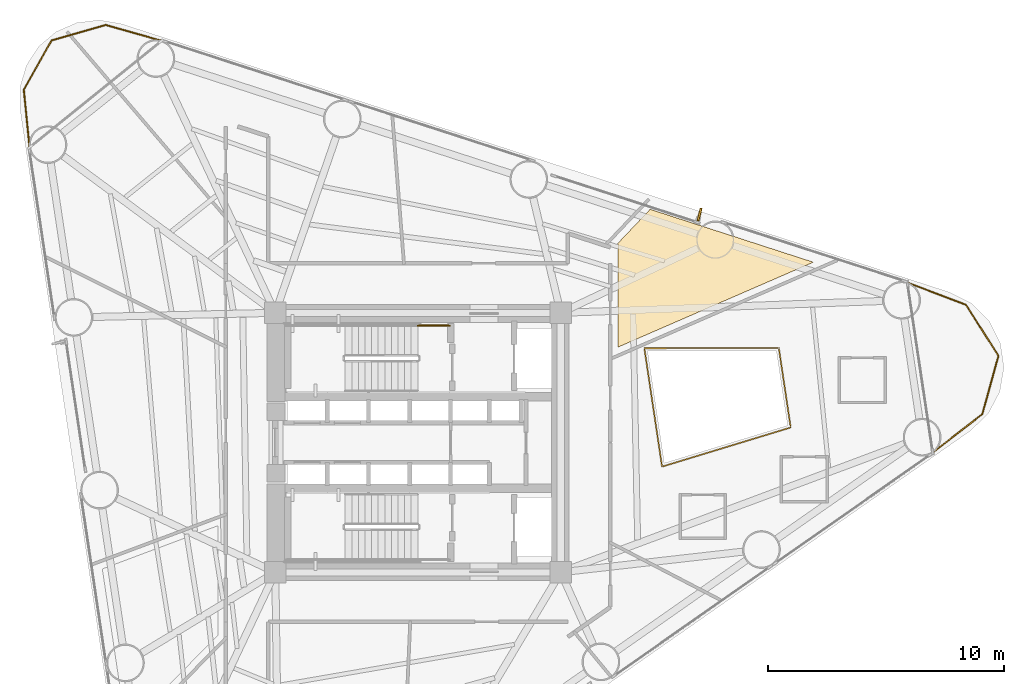
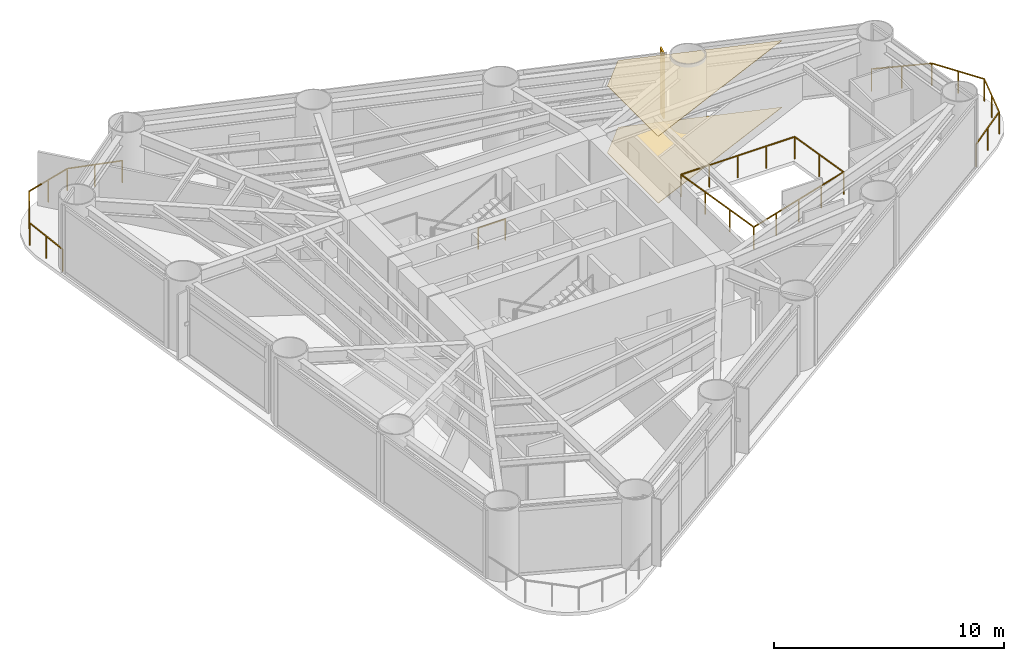
# One storey, part 9 of 9: 4 railings, 2 coverings, 1 shading device.
"""IFC4 building model written with IfcOpenShell, lengths in metres."""

import ifcopenshell
import ifcopenshell.guid

model = None  # the IFC model being written
_history = None  # IfcOwnerHistory: only IFC2X3 demands one
_inside = {}  # id of a spatial element -> (the spatial element, [elements in it])
_under = {}  # id of a project, library or spatial element -> (it, [spatial elements below it])
_declared = {}  # id of a project -> (the project, [libraries it declares])
_typed = {}  # id of a type object -> (the type object, [elements of that type])
_made_of = {}  # id of a material, layer set ... -> (it, [elements and type objects made of it])


def new_model(schema):
    """Start an empty IFC model of exactly this schema.

    Asked for "IFC4X3", IfcOpenShell would pick the latest addendum, in which some entities
    have other attributes; the version numbers below select the first issue.
    IFC2X3 requires an IfcOwnerHistory on every rooted entity: one is made here for all.
    """
    global model, _history
    if schema == "IFC4X3":
        model = ifcopenshell.file(schema_version=(4, 3, 0, 0))
    else:
        model = ifcopenshell.file(schema=schema)
    _inside.clear()
    _under.clear()
    _declared.clear()
    _typed.clear()
    _made_of.clear()
    _history = None
    if model.schema == "IFC2X3":
        org = make("IfcOrganization", Name="unknown")
        user = make(
            "IfcPersonAndOrganization",
            ThePerson=make("IfcPerson", FamilyName="unknown"),
            TheOrganization=org,
        )
        app = make(
            "IfcApplication",
            ApplicationDeveloper=org,
            Version="unknown",
            ApplicationFullName="unknown",
            ApplicationIdentifier="unknown",
        )
        _history = make(
            "IfcOwnerHistory",
            OwningUser=user,
            OwningApplication=app,
            ChangeAction="ADDED",
            CreationDate=0,
        )
    return model


def make(cls, **values):
    """One entity of the class cls with the attributes given. An attribute that is None is left unset."""
    return model.create_entity(
        cls, **{name: value for name, value in values.items() if value is not None}
    )


def rooted(cls, **values):
    """An entity with a GlobalId (a new one), such as an element, a storey or a relation."""
    return make(cls, GlobalId=ifcopenshell.guid.new(), OwnerHistory=_history, **values)


def si_unit(unit_type, name, prefix=None):
    """IfcSIUnit, for example si_unit("LENGTHUNIT", "METRE", prefix="MILLI")."""
    return make("IfcSIUnit", UnitType=unit_type, Prefix=prefix, Name=name)


def assignment(units):
    """IfcUnitAssignment: the units of a project."""
    return None if units is None else make("IfcUnitAssignment", Units=units)


def point(xyz):
    """IfcCartesianPoint."""
    return None if xyz is None else make("IfcCartesianPoint", Coordinates=xyz)


def direction(xyz):
    """IfcDirection."""
    return None if xyz is None else make("IfcDirection", DirectionRatios=xyz)


def frame(location, z_axis=None, x_axis=None):
    """IfcAxis2Placement3D, a coordinate frame: its origin and axes. An axis left out is left unset."""
    return make(
        "IfcAxis2Placement3D",
        Location=point(location),
        Axis=direction(z_axis),
        RefDirection=direction(x_axis),
    )


def frame_2d(location, x_axis=None):
    """IfcAxis2Placement2D, a coordinate frame in the plane: its origin and x axis."""
    return make(
        "IfcAxis2Placement2D", Location=point(location), RefDirection=direction(x_axis)
    )


def origin():
    """The frame at (0, 0, 0) with its axes left unset."""
    return frame((0.0, 0.0, 0.0))


def origin_2d():
    """The frame at (0, 0) in the plane with its x axis left unset."""
    return frame_2d((0.0, 0.0))


def place(relative_to, where):
    """IfcLocalPlacement: puts the frame where relative to a parent placement (None: the world)."""
    return make(
        "IfcLocalPlacement", PlacementRelTo=relative_to, RelativePlacement=where
    )


def context(
    kind, dimensions, precision=None, world=None, true_north=None, identifier=None
):
    """IfcGeometricRepresentationContext, for example the 3D "Model" context."""
    return make(
        "IfcGeometricRepresentationContext",
        ContextIdentifier=identifier,
        ContextType=kind,
        CoordinateSpaceDimension=dimensions,
        Precision=precision,
        WorldCoordinateSystem=world,
        TrueNorth=true_north,
    )


def subcontext(parent, identifier, kind, view, scale=None):
    """IfcGeometricRepresentationSubContext, for example "Body" below "Model"."""
    return make(
        "IfcGeometricRepresentationSubContext",
        ContextIdentifier=identifier,
        ContextType=kind,
        ParentContext=parent,
        TargetScale=scale,
        TargetView=view,
    )


def project(units=None, contexts=None):
    """IfcProject with its units and contexts."""
    return rooted(
        "IfcProject",
        Name="project",
        RepresentationContexts=contexts,
        UnitsInContext=assignment(units),
    )


def spatial(cls, under=None, at=None, **own):
    """A site, building, storey or space (cls), placed at a placement, below another one or the project."""
    s = rooted(cls, ObjectPlacement=at, **own)
    if under is not None:
        _under.setdefault(under.id(), (under, []))[1].append(s)
    return s


def polyline(points):
    """IfcPolyline through the points."""
    return make("IfcPolyline", Points=[point(p) for p in points])


def profile(cls, at=None, kind="AREA", **sizes):
    """A parametric profile (cls). Its sizes go by their IFC names, for example OverallWidth=200.0."""
    return make(cls, ProfileType=kind, Position=at, **sizes)


def rectangle(**sizes):
    """IfcRectangleProfileDef."""
    return profile("IfcRectangleProfileDef", **sizes)


def outline(outer, holes=None, kind="AREA"):
    """IfcArbitraryClosedProfileDef: a profile drawn as a closed curve; with holes, ...WithVoids."""
    if holes is None:
        return make("IfcArbitraryClosedProfileDef", ProfileType=kind, OuterCurve=outer)
    return make(
        "IfcArbitraryProfileDefWithVoids",
        ProfileType=kind,
        OuterCurve=outer,
        InnerCurves=holes,
    )


def extrude(swept, where, along, depth):
    """IfcExtrudedAreaSolid: the profile swept, set in the frame where, extruded along a direction by depth."""
    return make(
        "IfcExtrudedAreaSolid",
        SweptArea=swept,
        Position=where,
        ExtrudedDirection=direction(along),
        Depth=depth,
    )


def shape(context_of_items, identifier, shape_type, items):
    """IfcShapeRepresentation: the items that make up one representation, for example the "Body"."""
    return make(
        "IfcShapeRepresentation",
        ContextOfItems=context_of_items,
        RepresentationIdentifier=identifier,
        RepresentationType=shape_type,
        Items=items,
    )


def source(mapping_origin, context_of_items, identifier, shape_type, items):
    """IfcRepresentationMap: a shape defined once, which mapped items show again and again."""
    return make(
        "IfcRepresentationMap",
        MappingOrigin=mapping_origin,
        MappedRepresentation=shape(context_of_items, identifier, shape_type, items),
    )


def transform(
    local_origin,
    x_axis=None,
    y_axis=None,
    z_axis=None,
    scale=None,
    scale2=None,
    scale3=None,
    uniform=True,
):
    """IfcCartesianTransformationOperator3D, or its non-uniform kind. x_axis, y_axis, z_axis: its Axis1, 2, 3."""
    if uniform:
        return make(
            "IfcCartesianTransformationOperator3D",
            Axis1=direction(x_axis),
            Axis2=direction(y_axis),
            LocalOrigin=point(local_origin),
            Scale=scale,
            Axis3=direction(z_axis),
        )
    return make(
        "IfcCartesianTransformationOperator3DnonUniform",
        Axis1=direction(x_axis),
        Axis2=direction(y_axis),
        LocalOrigin=point(local_origin),
        Scale=scale,
        Axis3=direction(z_axis),
        Scale2=scale2,
        Scale3=scale3,
    )


def mapped(mapping_source, mapping_target):
    """IfcMappedItem: shows the shape of a source again, moved by a transform."""
    return make(
        "IfcMappedItem", MappingSource=mapping_source, MappingTarget=mapping_target
    )


def material(Name=None, Category=None):
    """IfcMaterial."""
    return make("IfcMaterial", Name=Name, Category=Category)


def layer(
    of_material, thickness, ventilated=None, Name=None, Category=None, Priority=None
):
    """IfcMaterialLayer: one layer of a wall or slab, of a material (None: an air gap)."""
    return make(
        "IfcMaterialLayer",
        Material=of_material,
        LayerThickness=thickness,
        IsVentilated=ventilated,
        Name=Name,
        Category=Category,
        Priority=Priority,
    )


def layer_set(layers, Name=None):
    """IfcMaterialLayerSet."""
    return make("IfcMaterialLayerSet", MaterialLayers=layers, LayerSetName=Name)


def material_profile(
    of_material, cross_section, Name=None, Category=None, Priority=None
):
    """IfcMaterialProfile: a cross section and its material."""
    return make(
        "IfcMaterialProfile",
        Name=Name,
        Material=of_material,
        Profile=cross_section,
        Priority=Priority,
        Category=Category,
    )


def profile_set(profiles, Name=None, composite=None):
    """IfcMaterialProfileSet."""
    return make(
        "IfcMaterialProfileSet",
        Name=Name,
        MaterialProfiles=profiles,
        CompositeProfile=composite,
    )


def made_of(thing, what):
    """Note that an element or type object is made of a material, layer set ...; save() writes the relation."""
    if what is not None:
        _made_of.setdefault(what.id(), (what, []))[1].append(thing)
    return thing


def type_object(cls, material=None, **own):
    """A type object (cls), such as IfcWallType, which elements share."""
    return made_of(rooted(cls, **own), material)


def element(
    cls,
    number,
    at=None,
    inside=None,
    cuts=None,
    type_object=None,
    material=None,
    context=None,
    identifier="Body",
    shape_type=None,
    held_by="IfcProductDefinitionShape",
    body=None,
    shapes=None,
    **own,
):
    """One element of the class cls, such as IfcWall. Its Tag is "e" and its number.

    at: its placement. inside: the storey or other place that contains it. cuts: it is an
    opening in that element (IfcRelVoidsElement). A single representation is given by context,
    identifier, shape_type and body (its items); several are given by shapes. held_by: the class
    of the entity that holds the representations. save() writes the other relations.
    """
    e = rooted(cls, Tag="e%d" % number, ObjectPlacement=at, **own)
    if body is not None:
        shapes = [shape(context, identifier, shape_type, body)]
    if shapes is not None:
        e.Representation = make(held_by, Representations=shapes)
    if inside is not None:
        _inside.setdefault(inside.id(), (inside, []))[1].append(e)
    if cuts is not None:
        rooted(
            "IfcRelVoidsElement", RelatingBuildingElement=cuts, RelatedOpeningElement=e
        )
    if type_object is not None:
        _typed.setdefault(type_object.id(), (type_object, []))[1].append(e)
    return made_of(e, material)


def aggregate(whole, parts):
    """IfcRelAggregates: a whole, such as a stair, and the parts it consists of."""
    return rooted("IfcRelAggregates", RelatingObject=whole, RelatedObjects=parts)


def save(model, path):
    """Write the relations noted so far, then the file.

    IfcRelAggregates (storeys below a building ...), IfcRelContainedInSpatialStructure (elements
    in a storey), IfcRelDefinesByType, IfcRelAssociatesMaterial and IfcRelDeclares: one each for
    every whole, place, type object, material and project.
    """
    for whole, parts in _under.values():
        aggregate(whole, parts)
    for where, things in _inside.values():
        rooted(
            "IfcRelContainedInSpatialStructure",
            RelatedElements=things,
            RelatingStructure=where,
        )
    for kind, things in _typed.values():
        rooted("IfcRelDefinesByType", RelatedObjects=things, RelatingType=kind)
    for what, things in _made_of.values():
        rooted("IfcRelAssociatesMaterial", RelatedObjects=things, RelatingMaterial=what)
    for by, libraries in _declared.values():
        rooted("IfcRelDeclares", RelatingContext=by, RelatedDefinitions=libraries)
    model.write(path)


model = new_model("IFC4")

# Units and contexts
model_context = context("Model", 3, precision=1e-05, world=origin(), true_north=direction((0.0, 1.0)))
body_context = subcontext(model_context, "Body", "Model", "MODEL_VIEW")
ifc_project = project(units=[si_unit("LENGTHUNIT", "METRE"), si_unit("AREAUNIT", "SQUARE_METRE"), si_unit("VOLUMEUNIT", "CUBIC_METRE"), si_unit("PLANEANGLEUNIT", "RADIAN"), si_unit("MASSUNIT", "GRAM", prefix="KILO")], contexts=[model_context])

# Site, building, storey
site_placement = place(None, origin())
site = spatial("IfcSite", under=ifc_project, at=site_placement, CompositionType="ELEMENT")
building_placement = place(site_placement, origin())
building = spatial("IfcBuilding", under=site, at=building_placement, Name="Yunling Apex Tower", CompositionType="ELEMENT")
storey_placement = place(building_placement, frame((0.0, 0.0, 77.300048828125)))
storey = spatial("IfcBuildingStorey", under=building, at=storey_placement, Name="L20", CompositionType="ELEMENT", Elevation=77.300048828125)

# Coverings
ifc_material_1 = material(Name="Acoustic mineral fibre ceiling")
ifc_layer_1 = layer(ifc_material_1, 0.02490234375)
ifc_layer_set_1 = layer_set([ifc_layer_1], Name="Acoustic mineral fibre ceiling")
covering_type_1 = type_object("IfcCoveringType", Name="CV-CLG-1", PredefinedType="CEILING", material=ifc_layer_set_1)
covering_1_placement = place(storey_placement, frame((0.0, 0.0, 3.5400390625)))
element("IfcCovering", 1, at=covering_1_placement, inside=storey, type_object=covering_type_1, Name="CV-CL-SP-L20-R06", PredefinedType="CEILING", context=body_context, shape_type="SweptSolid", body=[
    extrude(outline(polyline([(8.460693359375, 8.436279296875), (9.839111328125, 9.888671875), (16.75732421875, 7.646240234375), (8.47998046875, 4.047119140625), (8.47998046875, 8.34326171875), (8.479248046875, 8.364990234375), (8.474853515625, 8.390625), (8.470458984375, 8.408447265625), (8.463134765625, 8.430908203125), (8.460693359375, 8.436279296875)])), origin(), (0.0, 0.0, 1.0), 0.02490234375),
])
ifc_material_2 = material(Name="Polished granite stone", Category="masonry")
ifc_layer_2 = layer(ifc_material_2, 0.030029296875)
ifc_layer_set_2 = layer_set([ifc_layer_2], Name="Polished granite stone")
covering_type_2 = type_object("IfcCoveringType", Name="CV-FLR-1", PredefinedType="FLOORING", material=ifc_layer_set_2)
covering_2_placement = place(storey_placement, origin())
element("IfcCovering", 2, at=covering_2_placement, inside=storey, type_object=covering_type_2, Name="CV-FL-SP-L20-R06", PredefinedType="FLOORING", context=body_context, shape_type="SweptSolid", body=[
    extrude(outline(polyline([(8.460693359375, 8.436279296875), (9.839111328125, 9.888671875), (16.75732421875, 7.646240234375), (8.47998046875, 4.047119140625), (8.47998046875, 8.34326171875), (8.479248046875, 8.364990234375), (8.474853515625, 8.390625), (8.470458984375, 8.408447265625), (8.463134765625, 8.430908203125), (8.460693359375, 8.436279296875)])), origin(), (0.0, 0.0, 1.0), 0.030029296875),
])

# Railings
ifc_material_3 = material(Name="Bronze anodised aluminium", Category="aluminium")
railing_type_1 = type_object("IfcRailingType", Name="RL-BAL-1200", PredefinedType="BALUSTRADE", material=ifc_material_3)
railing_1_placement = place(storey_placement, frame((20.747314453125, 6.783935546875, 0.0)))
element("IfcRailing", 3, at=railing_1_placement, inside=storey, type_object=railing_type_1, Name="RL-CRNSILL-L20-1", PredefinedType="BALUSTRADE", context=body_context, shape_type="SweptSolid", body=[
    extrude(rectangle(XDim=0.0439453125, YDim=0.0439453125, at=origin_2d()), origin(), (0.0, 0.0, 1.0), 1.199951171875),
    extrude(rectangle(XDim=0.0439453125, YDim=0.0439453125, at=origin_2d()), frame((2.481689453125, -0.941650390625, 0.0)), (0.0, 0.0, 1.0), 1.199951171875),
    extrude(rectangle(XDim=0.050048828125, YDim=0.050048828125, at=origin_2d()), frame((0.035888671875, -0.013671875, 1.1748046875), z_axis=(0.934957554838, -0.354759595574, 0.0), x_axis=(0.354759595574, 0.934957554838, 0.0)), (0.0, 0.0, 1.0), 2.57763671875),
    extrude(rectangle(XDim=0.0439453125, YDim=0.0439453125, at=origin_2d()), frame((1.24072265625, -0.470703125, 0.0)), (0.0, 0.0, 1.0), 1.14599609375),
    extrude(rectangle(XDim=0.0439453125, YDim=0.0439453125, at=origin_2d()), frame((3.859375, -3.1064453125, 0.0)), (0.0, 0.0, 1.0), 1.199951171875),
    extrude(rectangle(XDim=0.050048828125, YDim=0.050048828125, at=origin_2d()), frame((2.502197265625, -0.973876953125, 1.1748046875), z_axis=(0.536900117586, -0.843645816523, 0.0), x_axis=(0.843645816523, 0.536900117586, 0.0)), (0.0, 0.0, 1.0), 2.4892578125),
    extrude(rectangle(XDim=0.0439453125, YDim=0.0439453125, at=origin_2d()), frame((3.17041015625, -2.02392578125, 0.0)), (0.0, 0.0, 1.0), 1.14599609375),
    extrude(rectangle(XDim=0.0439453125, YDim=0.0439453125, at=origin_2d()), frame((3.174560546875, -5.579345703125, 0.0)), (0.0, 0.0, 1.0), 1.199951171875),
    extrude(rectangle(XDim=0.050048828125, YDim=0.050048828125, at=origin_2d()), frame((3.84912109375, -3.143310546875, 1.1748046875), z_axis=(-0.26688316154, -0.963728892421, 0.0), x_axis=(0.963728892421, -0.26688316154, 0.0)), (0.0, 0.0, 1.0), 2.4892578125),
    extrude(rectangle(XDim=0.0439453125, YDim=0.0439453125, at=origin_2d()), frame((3.51708984375, -4.3427734375, 0.0)), (0.0, 0.0, 1.0), 1.14599609375),
    extrude(rectangle(XDim=0.0439453125, YDim=0.0439453125, at=origin_2d()), frame((1.07666015625, -7.20556640625, 0.0)), (0.0, 0.0, 1.0), 1.199951171875),
    extrude(rectangle(XDim=0.050048828125, YDim=0.050048828125, at=origin_2d()), frame((3.144287109375, -5.602783203125, 1.1748046875), z_axis=(-0.79035158758, -0.612653546476, 0.0), x_axis=(0.612653546476, -0.79035158758, 0.0)), (0.0, 0.0, 1.0), 2.57763671875),
    extrude(rectangle(XDim=0.0439453125, YDim=0.0439453125, at=origin_2d()), frame((2.12548828125, -6.392578125, 0.0)), (0.0, 0.0, 1.0), 1.14599609375),
])
railing_2_placement = place(storey_placement, frame((-16.470458984375, 12.5126953125, 0.0)))
element("IfcRailing", 4, at=railing_2_placement, inside=storey, type_object=railing_type_1, Name="RL-CRNSILL-L20-2", PredefinedType="BALUSTRADE", context=body_context, shape_type="SweptSolid", body=[
    extrude(rectangle(XDim=0.0439453125, YDim=0.0439453125, at=origin_2d()), origin(), (0.0, 0.0, 1.0), 1.199951171875),
    extrude(rectangle(XDim=0.0439453125, YDim=0.0439453125, at=origin_2d()), frame((-0.244140625, 2.449462890625, 0.0)), (0.0, 0.0, 1.0), 1.199951171875),
    extrude(rectangle(XDim=0.050048828125, YDim=0.050048828125, at=origin_2d()), frame((-0.00390625, 0.0380859375, 1.1748046875), z_axis=(-0.099179661385, 0.995069542679, 0.0), x_axis=(-0.995069542679, -0.099179661385, 0.0)), (0.0, 0.0, 1.0), 2.385009765625),
    extrude(rectangle(XDim=0.0439453125, YDim=0.0439453125, at=origin_2d()), frame((-0.1220703125, 1.224609375, 0.0)), (0.0, 0.0, 1.0), 1.14599609375),
    extrude(rectangle(XDim=0.0439453125, YDim=0.0439453125, at=origin_2d()), frame((0.935302734375, 4.534912109375, 0.0)), (0.0, 0.0, 1.0), 1.199951171875),
    extrude(rectangle(XDim=0.050048828125, YDim=0.050048828125, at=origin_2d()), frame((-0.225341796875, 2.48291015625, 1.1748046875), z_axis=(0.492282210089, 0.87043565278, 0.0), x_axis=(-0.87043565278, 0.492282210089, 0.0)), (0.0, 0.0, 1.0), 2.319091796875),
    extrude(rectangle(XDim=0.0439453125, YDim=0.0439453125, at=origin_2d()), frame((0.345703125, 3.4921875, 0.0)), (0.0, 0.0, 1.0), 1.14599609375),
    extrude(rectangle(XDim=0.0439453125, YDim=0.0439453125, at=origin_2d()), frame((3.231201171875, 5.19189453125, 0.0)), (0.0, 0.0, 1.0), 1.199951171875),
    extrude(rectangle(XDim=0.050048828125, YDim=0.050048828125, at=origin_2d()), frame((0.97216796875, 4.54541015625, 1.1748046875), z_axis=(0.961411988788, 0.275112682032, 0.0), x_axis=(-0.275112682032, 0.961411988788, 0.0)), (0.0, 0.0, 1.0), 2.311279296875),
    extrude(rectangle(XDim=0.0439453125, YDim=0.0439453125, at=origin_2d()), frame((2.083251953125, 4.86328125, 0.0)), (0.0, 0.0, 1.0), 1.14599609375),
    extrude(rectangle(XDim=0.0439453125, YDim=0.0439453125, at=origin_2d()), frame((5.60009765625, 4.52001953125, 0.0)), (0.0, 0.0, 1.0), 1.199951171875),
    extrude(rectangle(XDim=0.050048828125, YDim=0.050048828125, at=origin_2d()), frame((3.26806640625, 5.181396484375, 1.1748046875), z_axis=(0.962053444414, -0.272861082039, 0.0), x_axis=(0.272861082039, 0.962053444414, 0.0)), (0.0, 0.0, 1.0), 2.3857421875),
    extrude(rectangle(XDim=0.0439453125, YDim=0.0439453125, at=origin_2d()), frame((4.41552734375, 4.85595703125, 0.0)), (0.0, 0.0, 1.0), 1.14599609375),
])
railing_3_placement = place(storey_placement, frame((9.593994140625, 4.001220703125, 0.0)))
element("IfcRailing", 5, at=railing_3_placement, inside=storey, type_object=railing_type_1, Name="RL-TATR-L20", PredefinedType="BALUSTRADE", context=body_context, shape_type="SweptSolid", body=[
    extrude(rectangle(XDim=0.0439453125, YDim=0.0439453125, at=origin_2d()), origin(), (0.0, 0.0, 1.0), 1.199951171875),
    extrude(rectangle(XDim=0.0439453125, YDim=0.0439453125, at=origin_2d()), frame((5.70166015625, 0.007080078125, 0.0)), (0.0, 0.0, 1.0), 1.199951171875),
    extrude(rectangle(XDim=0.050048828125, YDim=0.050048828125, at=origin_2d()), frame((0.038330078125, 0.0, 1.1748046875), z_axis=(0.99999922902, 0.001241756343, 0.0), x_axis=(-0.001241756343, 0.99999922902, 0.0)), (0.0, 0.0, 1.0), 5.625),
    extrude(rectangle(XDim=0.0439453125, YDim=0.0439453125, at=origin_2d()), frame((1.42529296875, 0.001708984375, 0.0)), (0.0, 0.0, 1.0), 1.14599609375),
    extrude(rectangle(XDim=0.0439453125, YDim=0.0439453125, at=origin_2d()), frame((2.850830078125, 0.00341796875, 0.0)), (0.0, 0.0, 1.0), 1.14599609375),
    extrude(rectangle(XDim=0.0439453125, YDim=0.0439453125, at=origin_2d()), frame((4.2763671875, 0.00537109375, 0.0)), (0.0, 0.0, 1.0), 1.14599609375),
    extrude(rectangle(XDim=0.0439453125, YDim=0.0439453125, at=origin_2d()), frame((6.205078125, -3.362548828125, 0.0)), (0.0, 0.0, 1.0), 1.199951171875),
    extrude(rectangle(XDim=0.050048828125, YDim=0.050048828125, at=origin_2d()), frame((5.707275390625, -0.03076171875, 1.1748046875), z_axis=(0.147758753696, -0.98902343284, 0.0), x_axis=(0.98902343284, 0.147758753696, 0.0)), (0.0, 0.0, 1.0), 3.330322265625),
    extrude(rectangle(XDim=0.0439453125, YDim=0.0439453125, at=origin_2d()), frame((5.953369140625, -1.677734375, 0.0)), (0.0, 0.0, 1.0), 1.14599609375),
    extrude(rectangle(XDim=0.0439453125, YDim=0.0439453125, at=origin_2d()), frame((0.75048828125, -5.0224609375, 0.0)), (0.0, 0.0, 1.0), 1.199951171875),
    extrude(rectangle(XDim=0.050048828125, YDim=0.050048828125, at=origin_2d()), frame((6.16845703125, -3.373779296875, 1.1748046875), z_axis=(-0.956682695857, -0.291132649231, 0.0), x_axis=(0.291132649231, -0.956682695857, 0.0)), (0.0, 0.0, 1.0), 5.625),
    extrude(rectangle(XDim=0.0439453125, YDim=0.0439453125, at=origin_2d()), frame((4.84130859375, -3.777587890625, 0.0)), (0.0, 0.0, 1.0), 1.14599609375),
    extrude(rectangle(XDim=0.0439453125, YDim=0.0439453125, at=origin_2d()), frame((3.477783203125, -4.1923828125, 0.0)), (0.0, 0.0, 1.0), 1.14599609375),
    extrude(rectangle(XDim=0.0439453125, YDim=0.0439453125, at=origin_2d()), frame((2.1142578125, -4.607421875, 0.0)), (0.0, 0.0, 1.0), 1.14599609375),
    extrude(rectangle(XDim=0.050048828125, YDim=0.050048828125, at=origin_2d()), frame((0.744873046875, -4.984619140625, 1.1748046875), z_axis=(-0.147785616119, 0.989019419257, 0.0), x_axis=(-0.989019419257, -0.147785616119, 0.0)), (0.0, 0.0, 1.0), 5.00146484375),
    extrude(rectangle(XDim=0.0439453125, YDim=0.0439453125, at=origin_2d()), frame((0.500244140625, -3.348388671875, 0.0)), (0.0, 0.0, 1.0), 1.14599609375),
    extrude(rectangle(XDim=0.0439453125, YDim=0.0439453125, at=origin_2d()), frame((0.250244140625, -1.674072265625, 0.0)), (0.0, 0.0, 1.0), 1.14599609375),
])
ifc_material_4 = material(Name="Steel Q355B", Category="steel")
railing_type_2 = type_object("IfcRailingType", Name="RL-GRD-1150", PredefinedType="GUARDRAIL", material=ifc_material_4)
railing_4_placement = place(storey_placement, frame((1.35009765625, 4.9599609375, 0.0)))
element("IfcRailing", 6, at=railing_4_placement, inside=storey, type_object=railing_type_2, Name="L20 ST-1 stair guard 6", PredefinedType="GUARDRAIL", context=body_context, shape_type="SweptSolid", body=[
    extrude(rectangle(XDim=0.0439453125, YDim=0.0439453125, at=origin_2d()), origin(), (0.0, 0.0, 1.0), 1.14990234375),
    extrude(rectangle(XDim=0.0439453125, YDim=0.0439453125, at=origin_2d()), frame((-1.360107421875, 0.0, 0.0)), (0.0, 0.0, 1.0), 1.14990234375),
    extrude(rectangle(XDim=0.050048828125, YDim=0.050048828125, at=origin_2d()), frame((-0.038330078125, 0.0, 1.125), z_axis=(-1.0, 0.0, 0.0), x_axis=(0.0, -1.0, 0.0)), (0.0, 0.0, 1.0), 1.283447265625),
])

# Shading device
ifc_material_profile = material_profile(ifc_material_3, rectangle(XDim=0.0849609375, YDim=0.550048828125, at=origin_2d()))
ifc_profile_set = profile_set([ifc_material_profile], Name="Bronze anodised aluminium")
shading_device_type = type_object("IfcShadingDeviceType", Name="FN-BRZ-3", PredefinedType="USERDEFINED", material=ifc_profile_set)
shared_shape = source(origin(), body_context, "Body", "SweptSolid", [
    extrude(rectangle(XDim=0.0849609375, YDim=0.550048828125, at=origin_2d()), origin(), (0.0, 0.0, 1.0), 3.445068359375),
])
shading_device_placement = place(storey_placement, frame((11.934814453125, 9.666748046875, 0.06005859375), z_axis=(0.0, 0.0, 1.0), x_axis=(-0.969402520914, 0.245476582274, 0.0)))
element("IfcShadingDevice", 7, at=shading_device_placement, inside=storey, type_object=shading_device_type, Name="CW-L20-F2-B2-FIN-01", ObjectType="FIN", PredefinedType="USERDEFINED", context=body_context, shape_type="MappedRepresentation", body=[
    mapped(shared_shape, transform((0.0, 0.0, 0.0), scale=1.0)),
])

save(model, "model.ifc")
